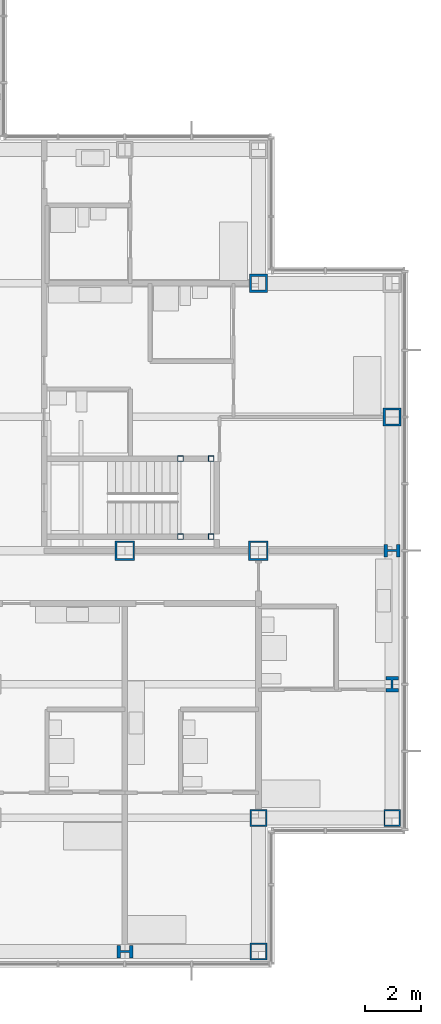
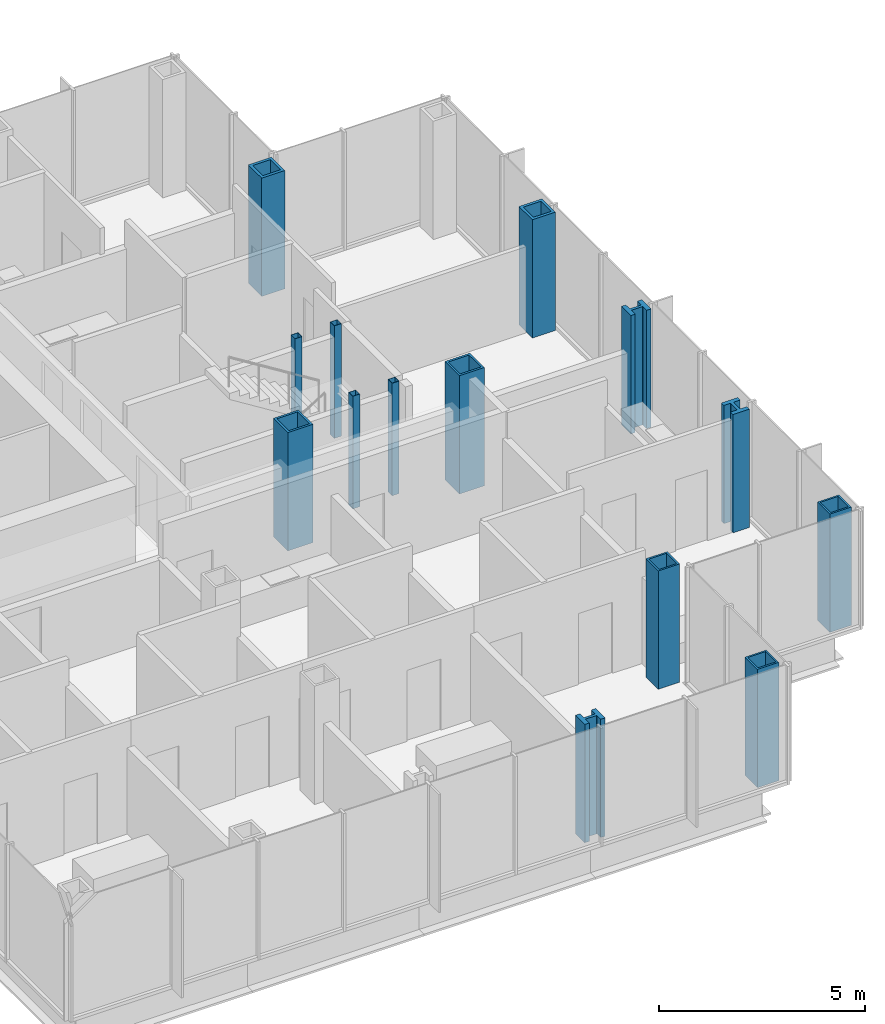
# One storey, part 4 of 20: 14 columns.
"""IFC4 building model written with IfcOpenShell, lengths in metres."""

from ifc_helpers import new_model, si_unit, direction, frame, origin, origin_2d, place, context, subcontext, project, spatial, hollow_rectangle, i_section, extrude, material, material_profile, profile_set, type_object, element, save


model = new_model("IFC4")

# Units and contexts
model_context = context("Model", 3, precision=1e-05, world=origin(), true_north=direction((0.0, 1.0)))
body_context = subcontext(model_context, "Body", "Model", "MODEL_VIEW")
ifc_project = project(units=[si_unit("LENGTHUNIT", "METRE"), si_unit("AREAUNIT", "SQUARE_METRE"), si_unit("VOLUMEUNIT", "CUBIC_METRE"), si_unit("PLANEANGLEUNIT", "RADIAN"), si_unit("MASSUNIT", "GRAM", prefix="KILO")], contexts=[model_context])

# Site, building, storey
site_placement = place(None, origin())
site = spatial("IfcSite", under=ifc_project, at=site_placement, CompositionType="ELEMENT")
building_placement = place(site_placement, origin())
building = spatial("IfcBuilding", under=site, at=building_placement, Name="Kvirike Care Tower", CompositionType="ELEMENT")
storey_placement = place(building_placement, frame((0.0, 0.0, 91.0)))
storey = spatial("IfcBuildingStorey", under=building, at=storey_placement, Name="L24", CompositionType="ELEMENT", Elevation=91.0)

# Columns
ifc_material_1 = material(Name="Steel S460", Category="steel")
ifc_material_profile_1 = material_profile(ifc_material_1, hollow_rectangle(XDim=0.60009765625, YDim=0.60009765625, WallThickness=0.050048828125, at=origin_2d()), Name="BX 600x600x50")
ifc_profile_set_1 = profile_set([ifc_material_profile_1], Name="Steel S460")
column_type_1 = type_object("IfcColumnType", Name="COLUMN BX 600x600x50", PredefinedType="COLUMN", material=ifc_profile_set_1)
for number, where, z_axis, x_axis, name in (
    (1, (38.39990234375, 14.39990234375, 0.0), (0.0, 0.0, 1.0), (0.0, 1.0, 0.0), "Column D11 L24"),
    (2, (38.39990234375, 19.199951171875, 0.0), (0.0, 0.0, 1.0), (0.0, 1.0, 0.0), "Column E11 L24"),
    (3, (43.199951171875, 19.199951171875, 0.0), (0.0, 0.0, 1.0), (0.0, 1.0, 0.0), "Column E12 L24"),
):
    element("IfcColumn", number, at=place(storey_placement, frame(where, z_axis=z_axis, x_axis=x_axis)), inside=storey, type_object=column_type_1, Name=name, PredefinedType="COLUMN", context=body_context, shape_type="SweptSolid", body=[
        extrude(hollow_rectangle(XDim=0.60009765625, YDim=0.60009765625, WallThickness=0.050048828125, at=origin_2d()), origin(), (0.0, 0.0, 1.0), 3.5),
    ])
ifc_material_2 = material(Name="Steel S460", Category="steel")
ifc_material_profile_2 = material_profile(ifc_material_2, hollow_rectangle(XDim=0.64990234375, YDim=0.64990234375, WallThickness=0.080078125, at=origin_2d()), Name="BX 650x650x80")
ifc_profile_set_2 = profile_set([ifc_material_profile_2], Name="Steel S460")
column_type_2 = type_object("IfcColumnType", Name="COLUMN BX 650x650x80", PredefinedType="COLUMN", material=ifc_profile_set_2)
for number, where, z_axis, x_axis, name in (
    (4, (38.39990234375, 38.39990234375, 0.0), (0.0, 0.0, 1.0), (0.0, 1.0, 0.0), "Column J11 L24"),
    (5, (43.199951171875, 33.60009765625, 0.0), (0.0, 0.0, 1.0), (1.0, 0.0, 0.0), "Column H12 L24"),
):
    element("IfcColumn", number, at=place(storey_placement, frame(where, z_axis=z_axis, x_axis=x_axis)), inside=storey, type_object=column_type_2, Name=name, PredefinedType="COLUMN", context=body_context, shape_type="SweptSolid", body=[
        extrude(hollow_rectangle(XDim=0.64990234375, YDim=0.64990234375, WallThickness=0.080078125, at=origin_2d()), origin(), (0.0, 0.0, 1.0), 3.5),
    ])
ifc_material_3 = material(Name="Steel S460", Category="steel")
ifc_material_profile_3 = material_profile(ifc_material_3, hollow_rectangle(XDim=0.699951171875, YDim=0.699951171875, WallThickness=0.06005859375, at=origin_2d()), Name="BX 700x700x60")
ifc_profile_set_3 = profile_set([ifc_material_profile_3], Name="Steel S460")
column_type_3 = type_object("IfcColumnType", Name="COLUMN BX 700x700x60", PredefinedType="COLUMN", material=ifc_profile_set_3)
for number, where, z_axis, x_axis, name in (
    (6, (33.60009765625, 28.800048828125, 0.0), (0.0, 0.0, 1.0), (0.0, 1.0, 0.0), "Column G10 L24"),
    (7, (38.39990234375, 28.800048828125, 0.0), (0.0, 0.0, 1.0), (0.0, 1.0, 0.0), "Column G11 L24"),
):
    element("IfcColumn", number, at=place(storey_placement, frame(where, z_axis=z_axis, x_axis=x_axis)), inside=storey, type_object=column_type_3, Name=name, PredefinedType="COLUMN", context=body_context, shape_type="SweptSolid", body=[
        extrude(hollow_rectangle(XDim=0.699951171875, YDim=0.699951171875, WallThickness=0.06005859375, at=origin_2d()), origin(), (0.0, 0.0, 1.0), 3.5),
    ])
ifc_material_4 = material(Name="Steel S460", Category="steel")
ifc_material_profile_4 = material_profile(ifc_material_4, i_section(OverallWidth=0.4541015625, OverallDepth=0.569091796875, WebThickness=0.077880859375, FlangeThickness=0.125, FilletRadius=0.014892578125, at=origin_2d()), Name="HD 400x1086")
ifc_profile_set_4 = profile_set([ifc_material_profile_4], Name="Steel S460")
column_type_4 = type_object("IfcColumnType", Name="COLUMN HD 400x1086", PredefinedType="COLUMN", material=ifc_profile_set_4)
for number, where, z_axis, x_axis, name in (
    (8, (33.60009765625, 14.39990234375, 0.0), (0.0, 0.0, 1.0), (0.0, 1.0, 0.0), "Column D10 L24"),
    (9, (43.199951171875, 24.0, 0.0), (0.0, 0.0, 1.0), (1.0, 0.0, 0.0), "Column F12 L24"),
    (10, (43.199951171875, 28.800048828125, 0.0), (0.0, 0.0, 1.0), (0.0, 1.0, 0.0), "Column G12 L24"),
):
    element("IfcColumn", number, at=place(storey_placement, frame(where, z_axis=z_axis, x_axis=x_axis)), inside=storey, type_object=column_type_4, Name=name, PredefinedType="COLUMN", context=body_context, shape_type="SweptSolid", body=[
        extrude(i_section(OverallWidth=0.4541015625, OverallDepth=0.569091796875, WebThickness=0.077880859375, FlangeThickness=0.125, FilletRadius=0.014892578125, at=origin_2d()), origin(), (0.0, 0.0, 1.0), 3.5),
    ])
ifc_material_5 = material(Name="Steel S460", Category="steel")
ifc_material_profile_5 = material_profile(ifc_material_5, hollow_rectangle(XDim=0.199951171875, YDim=0.199951171875, WallThickness=0.008056640625, at=origin_2d()), Name="SHS 200x200x8")
ifc_profile_set_5 = profile_set([ifc_material_profile_5], Name="Steel S460")
column_type_5 = type_object("IfcColumnType", Name="STAIR POST SHS 200x200x8", PredefinedType="COLUMN", material=ifc_profile_set_5)
for number, where, z_axis, x_axis, name in (
    (11, (36.699951171875, 29.300048828125, 0.0), (0.0, 0.0, 1.0), (1.0, 0.0, 0.0), "Stair 2 post 1 L24"),
    (12, (36.699951171875, 32.10009765625, 0.0), (0.0, 0.0, 1.0), (1.0, 0.0, 0.0), "Stair 2 post 2 L24"),
    (13, (35.60009765625, 29.300048828125, 0.0), (0.0, 0.0, 1.0), (1.0, 0.0, 0.0), "Stair 2 post 3 L24"),
    (14, (35.60009765625, 32.10009765625, 0.0), (0.0, 0.0, 1.0), (1.0, 0.0, 0.0), "Stair 2 post 4 L24"),
):
    element("IfcColumn", number, at=place(storey_placement, frame(where, z_axis=z_axis, x_axis=x_axis)), inside=storey, type_object=column_type_5, Name=name, PredefinedType="COLUMN", context=body_context, shape_type="SweptSolid", body=[
        extrude(hollow_rectangle(XDim=0.199951171875, YDim=0.199951171875, WallThickness=0.008056640625, at=origin_2d()), origin(), (0.0, 0.0, 1.0), 3.330078125),
    ])

save(model, "model.ifc")
